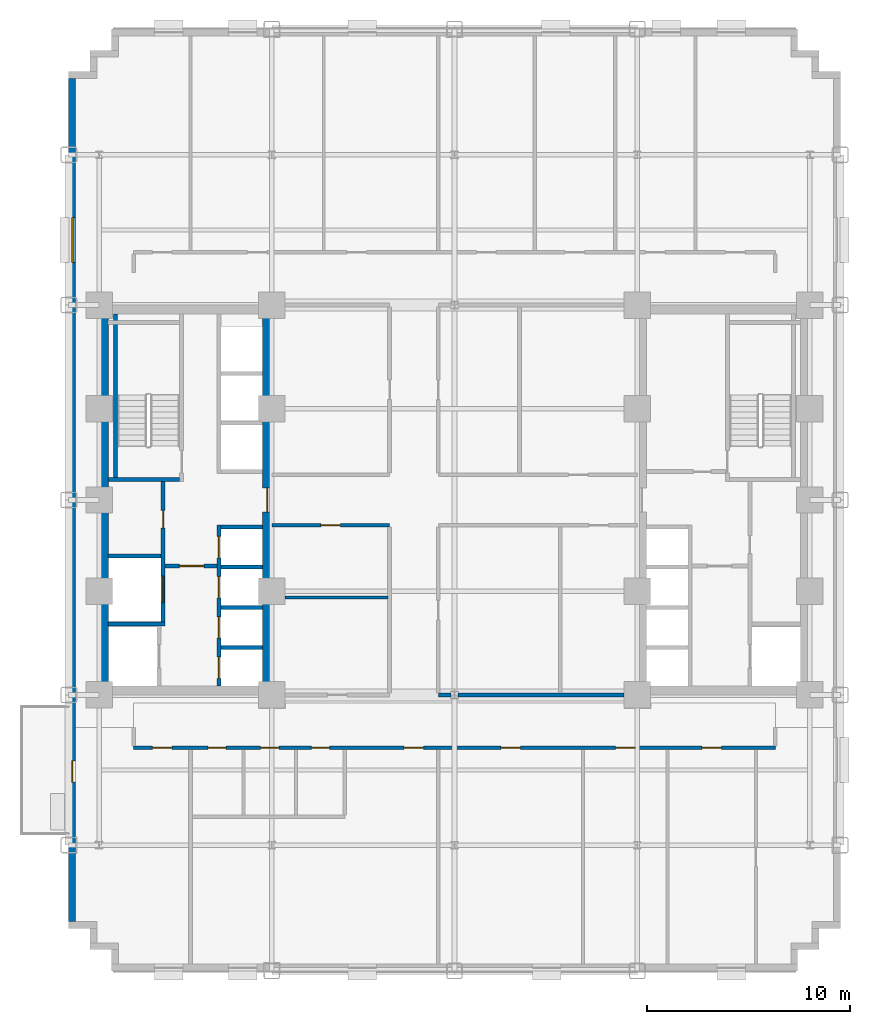
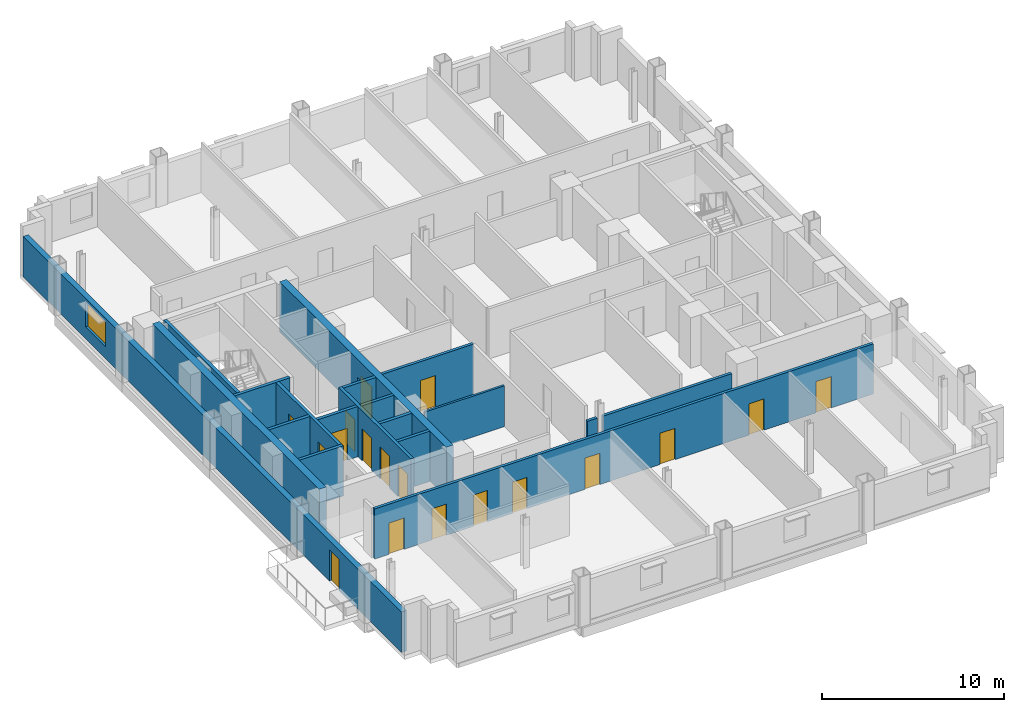
# One storey, part 5 of 12: 19 walls, 18 doors, 1 window, 19 openings.
"""IFC4 building model written with IfcOpenShell, lengths in metres."""

from ifc_helpers import new_model, si_unit, direction, frame, frame_2d, origin, place, context, subcontext, project, spatial, rectangle, extrude, source, transform, mapped, material, layer, layer_set, type_object, type_shapes, element, fill, save


model = new_model("IFC4")

# Units and contexts
model_context = context("Model", 3, precision=1e-05, world=origin(), true_north=direction((0.0, 1.0)))
body_context = subcontext(model_context, "Body", "Model", "MODEL_VIEW")
ifc_project = project(units=[si_unit("LENGTHUNIT", "METRE"), si_unit("AREAUNIT", "SQUARE_METRE"), si_unit("VOLUMEUNIT", "CUBIC_METRE"), si_unit("PLANEANGLEUNIT", "RADIAN"), si_unit("MASSUNIT", "GRAM", prefix="KILO")], contexts=[model_context])

# Site, building, storey
site_placement = place(None, origin())
site = spatial("IfcSite", under=ifc_project, at=site_placement, CompositionType="ELEMENT")
building_placement = place(site_placement, origin())
building = spatial("IfcBuilding", under=site, at=building_placement, Name="Nuvemarco Arch Tower", CompositionType="ELEMENT")
storey_placement = place(building_placement, frame((0.0, 0.0, 49.5)))
storey = spatial("IfcBuildingStorey", under=building, at=storey_placement, Name="L12", CompositionType="ELEMENT", Elevation=49.5)

# Wall, openings, door, window
ifc_material_1 = material(Name="Precast concrete C45/55", Category="concrete")
ifc_layer_1 = layer(ifc_material_1, 0.340087890625, Name="EW-LOW-340")
ifc_layer_set_1 = layer_set([ifc_layer_1], Name="Precast concrete C45/55")
wall_type_1 = type_object("IfcWallType", Name="EW-LOW-340", PredefinedType="STANDARD", material=ifc_layer_set_1)
wall_1_placement = place(storey_placement, frame((-18.830078125, -20.763916015625, 0.0), z_axis=(0.0, 0.0, 1.0), x_axis=(0.0, 1.0, 0.0)))
wall_1 = element("IfcWall", 1, at=wall_1_placement, inside=storey, type_object=wall_type_1, Name="L12 exterior precast facade wall 16", PredefinedType="STANDARD", context=body_context, shape_type="SweptSolid", body=[
    extrude(rectangle(XDim=41.52783203125, YDim=0.340087890625, at=frame_2d((20.763916015625, 0.0))), origin(), (0.0, 0.0, 1.0), 2.705078125),
])
opening_1_placement = place(wall_1_placement, frame((6.864013671875, 0.0, 0.0)))
opening_1 = element("IfcOpeningElement", 2, at=opening_1_placement, cuts=wall_1, Name="Opening ED-5", PredefinedType="OPENING", context=body_context, shape_type="SweptSolid", body=[
    extrude(rectangle(XDim=1.050048828125, YDim=2.10009765625, at=frame_2d((0.52490234375, 1.050048828125))), frame((0.0, 0.179931640625, 0.0), z_axis=(0.0, -1.0, 0.0), x_axis=(1.0, 0.0, 0.0)), (0.0, 0.0, 1.0), 0.360107421875),
])
opening_2_placement = place(wall_1_placement, frame((32.466552734375, 0.0, 0.800048828125)))
opening_2 = element("IfcOpeningElement", 3, at=opening_2_placement, cuts=wall_1, Name="Opening WN-3", PredefinedType="OPENING", context=body_context, shape_type="SweptSolid", body=[
    extrude(rectangle(XDim=2.199951171875, YDim=1.64990234375, at=frame_2d((1.10009765625, 0.824951171875))), frame((0.0, 0.179931640625, 0.0), z_axis=(0.0, -1.0, 0.0), x_axis=(1.0, 0.0, 0.0)), (0.0, 0.0, 1.0), 0.360107421875),
])
ifc_material_2 = material(Name="Anodised bronze and laminated glass", Category="glass")
door_type_1 = type_object("IfcDoorType", Name="DR-EXT-TERR", OperationType="NOTDEFINED", PredefinedType="DOOR", material=ifc_material_2)
shared_shape_1 = source(origin(), body_context, "Body", "SweptSolid", [
    extrude(rectangle(XDim=1.050048828125, YDim=2.10009765625, at=frame_2d((0.52490234375, 1.050048828125))), frame((0.0, 0.02490234375, 0.0), z_axis=(0.0, -1.0, 0.0), x_axis=(1.0, 0.0, 0.0)), (0.0, 0.0, 1.0), 0.050048828125),
])
type_shapes(door_type_1, [shared_shape_1])
door_1_placement = place(opening_1_placement, origin())
door_1 = element("IfcDoor", 4, at=door_1_placement, inside=storey, type_object=door_type_1, Name="L12 spiral terrace access door", OperationType="SINGLE_SWING_LEFT", OverallHeight=2.10009765625, OverallWidth=1.050048828125, PredefinedType="DOOR", context=body_context, shape_type="MappedRepresentation", body=[
    mapped(shared_shape_1, transform((0.0, 0.0, 0.0), scale=1.0)),
])
fill(opening_1, door_1)
ifc_material_3 = material(Name="Insulated solar-control glass", Category="glass")
window_type = type_object("IfcWindowType", Name="WN-LOW-2200x1650", PartitioningType="DOUBLE_PANEL_VERTICAL", PredefinedType="WINDOW", material=ifc_material_3)
shared_shape_2 = source(origin(), body_context, "Body", "SweptSolid", [
    extrude(rectangle(XDim=2.199951171875, YDim=1.64990234375, at=frame_2d((1.10009765625, 0.824951171875))), frame((0.0, 0.030029296875, 0.0), z_axis=(0.0, -1.0, 0.0), x_axis=(1.0, 0.0, 0.0)), (0.0, 0.0, 1.0), 0.06005859375),
])
type_shapes(window_type, [shared_shape_2])
window_placement = place(opening_2_placement, origin())
window = element("IfcWindow", 5, at=window_placement, inside=storey, type_object=window_type, Name="L12 punched facade window 7", OverallHeight=1.64990234375, OverallWidth=2.199951171875, PartitioningType="SINGLE_PANEL", PredefinedType="WINDOW", context=body_context, shape_type="MappedRepresentation", body=[
    mapped(shared_shape_2, transform((0.0, 0.0, 0.0), scale=1.0)),
])
fill(opening_2, window)

# Wall
ifc_material_4 = material(Name="Concrete C60/75", Category="concrete")
ifc_layer_2 = layer(ifc_material_4, 0.449951171875, Name="WL-CORE-450")
ifc_layer_set_2 = layer_set([ifc_layer_2], Name="Concrete C60/75")
wall_type_2 = type_object("IfcWallType", Name="WL-CORE-450", PredefinedType="SHEAR", material=ifc_layer_set_2)
wall_2_placement = place(storey_placement, frame((-17.27490234375, -9.155029296875, 0.0), z_axis=(0.0, 0.0, 1.0), x_axis=(0.0, 1.0, 0.0)))
element("IfcWall", 6, at=wall_2_placement, inside=storey, type_object=wall_type_2, Name="L12 W-core shear wall W", PredefinedType="SHEAR", context=body_context, shape_type="SweptSolid", body=[
    extrude(rectangle(XDim=18.31005859375, YDim=0.449951171875, at=frame_2d((9.155029296875, 0.0))), origin(), (0.0, 0.0, 1.0), 3.3701171875),
])

# Wall, opening, door
wall_3_placement = place(storey_placement, frame((-9.22509765625, -9.155029296875, 0.0), z_axis=(0.0, 0.0, 1.0), x_axis=(0.0, 1.0, 0.0)))
wall_3 = element("IfcWall", 7, at=wall_3_placement, inside=storey, type_object=wall_type_2, Name="L12 W-core shear wall E", PredefinedType="SHEAR", context=body_context, shape_type="SweptSolid", body=[
    extrude(rectangle(XDim=18.31005859375, YDim=0.449951171875, at=frame_2d((9.155029296875, 0.0))), origin(), (0.0, 0.0, 1.0), 3.3701171875),
])
opening_3_placement = place(wall_3_placement, frame((8.554931640625, 0.0, 0.0)))
opening_3 = element("IfcOpeningElement", 8, at=opening_3_placement, cuts=wall_3, Name="Opening FD-2", PredefinedType="OPENING", context=body_context, shape_type="SweptSolid", body=[
    extrude(rectangle(XDim=1.199951171875, YDim=2.14990234375, at=frame_2d((0.60009765625, 1.074951171875))), frame((0.0, 0.23486328125, 0.0), z_axis=(0.0, -1.0, 0.0), x_axis=(1.0, 0.0, 0.0)), (0.0, 0.0, 1.0), 0.469970703125),
])
ifc_material_5 = material(Name="Anodised steel fire door", Category="steel")
door_type_2 = type_object("IfcDoorType", Name="DR-FFLOB-FD", OperationType="NOTDEFINED", PredefinedType="DOOR", material=ifc_material_5)
shared_shape_3 = source(origin(), body_context, "Body", "SweptSolid", [
    extrude(rectangle(XDim=1.199951171875, YDim=2.14990234375, at=frame_2d((0.60009765625, 1.074951171875))), frame((0.0, 0.02490234375, 0.0), z_axis=(0.0, -1.0, 0.0), x_axis=(1.0, 0.0, 0.0)), (0.0, 0.0, 1.0), 0.050048828125),
])
type_shapes(door_type_2, [shared_shape_3])
door_2_placement = place(opening_3_placement, origin())
door_2 = element("IfcDoor", 9, at=door_2_placement, inside=storey, type_object=door_type_2, Name="L12 door FD-L12-WCORE-E", OperationType="SINGLE_SWING_LEFT", OverallHeight=2.14990234375, OverallWidth=1.199951171875, PredefinedType="DOOR", context=body_context, shape_type="MappedRepresentation", body=[
    mapped(shared_shape_3, transform((0.0, 0.0, 0.0), scale=1.0)),
])
fill(opening_3, door_2)

# Wall, openings, doors
ifc_material_6 = material(Name="Fire-rated gypsum drywall partition")
ifc_layer_3 = layer(ifc_material_6, 0.179931640625, Name="WL-CORR-180")
ifc_layer_set_3 = layer_set([ifc_layer_3], Name="Fire-rated gypsum drywall partition")
wall_type_3 = type_object("IfcWallType", Name="WL-CORR-180", PredefinedType="PARTITIONING", material=ifc_layer_set_3)
wall_4_placement = place(storey_placement, frame((-15.800048828125, -12.199951171875, 0.0), z_axis=(0.0, 0.0, 1.0), x_axis=(1.0, 0.0, 0.0)))
wall_4 = element("IfcWall", 10, at=wall_4_placement, inside=storey, type_object=wall_type_3, Name="L12 interior wall IW-L12-002", PredefinedType="PARTITIONING", context=body_context, shape_type="SweptSolid", body=[
    extrude(rectangle(XDim=31.60009765625, YDim=0.179931640625, at=frame_2d((15.800048828125, 0.0))), origin(), (0.0, 0.0, 1.0), 3.360107421875),
])
opening_4_placement = place(wall_4_placement, frame((18.0849609375, 0.0, 0.0)))
opening_4 = element("IfcOpeningElement", 11, at=opening_4_placement, cuts=wall_4, Name="Opening FD-5", PredefinedType="OPENING", context=body_context, shape_type="SweptSolid", body=[
    extrude(rectangle(XDim=0.9599609375, YDim=2.10009765625, at=frame_2d((0.47998046875, 1.050048828125))), frame((0.0, 0.099853515625, 0.0), z_axis=(0.0, -1.0, 0.0), x_axis=(1.0, 0.0, 0.0)), (0.0, 0.0, 1.0), 0.199951171875),
])
opening_5_placement = place(wall_4_placement, frame((27.985107421875, 0.0, 0.0)))
opening_5 = element("IfcOpeningElement", 12, at=opening_5_placement, cuts=wall_4, Name="Opening FD-5", PredefinedType="OPENING", context=body_context, shape_type="SweptSolid", body=[
    extrude(rectangle(XDim=0.9599609375, YDim=2.10009765625, at=frame_2d((0.47998046875, 1.050048828125))), frame((0.0, 0.099853515625, 0.0), z_axis=(0.0, -1.0, 0.0), x_axis=(1.0, 0.0, 0.0)), (0.0, 0.0, 1.0), 0.199951171875),
])
opening_6_placement = place(wall_4_placement, frame((23.72998046875, 0.0, 0.0)))
opening_6 = element("IfcOpeningElement", 13, at=opening_6_placement, cuts=wall_4, Name="Opening FD-5", PredefinedType="OPENING", context=body_context, shape_type="SweptSolid", body=[
    extrude(rectangle(XDim=0.9599609375, YDim=2.10009765625, at=frame_2d((0.47998046875, 1.050048828125))), frame((0.0, 0.099853515625, 0.0), z_axis=(0.0, -1.0, 0.0), x_axis=(1.0, 0.0, 0.0)), (0.0, 0.0, 1.0), 0.199951171875),
])
opening_7_placement = place(wall_4_placement, frame((0.919921875, 0.0, 0.0)))
opening_7 = element("IfcOpeningElement", 14, at=opening_7_placement, cuts=wall_4, Name="Opening FD-5", PredefinedType="OPENING", context=body_context, shape_type="SweptSolid", body=[
    extrude(rectangle(XDim=0.9599609375, YDim=2.10009765625, at=frame_2d((0.47998046875, 1.050048828125))), frame((0.0, 0.099853515625, 0.0), z_axis=(0.0, -1.0, 0.0), x_axis=(1.0, 0.0, 0.0)), (0.0, 0.0, 1.0), 0.199951171875),
])
opening_8_placement = place(wall_4_placement, frame((6.25, 0.0, 0.0)))
opening_8 = element("IfcOpeningElement", 15, at=opening_8_placement, cuts=wall_4, Name="Opening ID-3", PredefinedType="OPENING", context=body_context, shape_type="SweptSolid", body=[
    extrude(rectangle(XDim=0.89990234375, YDim=2.10009765625, at=frame_2d((0.449951171875, 1.050048828125))), frame((0.0, 0.099853515625, 0.0), z_axis=(0.0, -1.0, 0.0), x_axis=(1.0, 0.0, 0.0)), (0.0, 0.0, 1.0), 0.199951171875),
])
opening_9_placement = place(wall_4_placement, frame((3.64990234375, 0.0, 0.0)))
opening_9 = element("IfcOpeningElement", 16, at=opening_9_placement, cuts=wall_4, Name="Opening ID-3", PredefinedType="OPENING", context=body_context, shape_type="SweptSolid", body=[
    extrude(rectangle(XDim=0.89990234375, YDim=2.10009765625, at=frame_2d((0.449951171875, 1.050048828125))), frame((0.0, 0.099853515625, 0.0), z_axis=(0.0, -1.0, 0.0), x_axis=(1.0, 0.0, 0.0)), (0.0, 0.0, 1.0), 0.199951171875),
])
opening_10_placement = place(wall_4_placement, frame((13.320068359375, 0.0, 0.0)))
opening_10 = element("IfcOpeningElement", 17, at=opening_10_placement, cuts=wall_4, Name="Opening FD-5", PredefinedType="OPENING", context=body_context, shape_type="SweptSolid", body=[
    extrude(rectangle(XDim=0.9599609375, YDim=2.10009765625, at=frame_2d((0.47998046875, 1.050048828125))), frame((0.0, 0.099853515625, 0.0), z_axis=(0.0, -1.0, 0.0), x_axis=(1.0, 0.0, 0.0)), (0.0, 0.0, 1.0), 0.199951171875),
])
opening_11_placement = place(wall_4_placement, frame((8.75, 0.0, 0.0)))
opening_11 = element("IfcOpeningElement", 18, at=opening_11_placement, cuts=wall_4, Name="Opening ID-3", PredefinedType="OPENING", context=body_context, shape_type="SweptSolid", body=[
    extrude(rectangle(XDim=0.89990234375, YDim=2.10009765625, at=frame_2d((0.449951171875, 1.050048828125))), frame((0.0, 0.099853515625, 0.0), z_axis=(0.0, -1.0, 0.0), x_axis=(1.0, 0.0, 0.0)), (0.0, 0.0, 1.0), 0.199951171875),
])
ifc_material_7 = material(Name="Timber fire door", Category="wood")
door_type_3 = type_object("IfcDoorType", Name="DR-CORR-FD", OperationType="NOTDEFINED", PredefinedType="DOOR", material=ifc_material_7)
shared_shape_4 = source(origin(), body_context, "Body", "SweptSolid", [
    extrude(rectangle(XDim=0.9599609375, YDim=2.10009765625, at=frame_2d((0.47998046875, 1.050048828125))), frame((0.0, 0.02490234375, 0.0), z_axis=(0.0, -1.0, 0.0), x_axis=(1.0, 0.0, 0.0)), (0.0, 0.0, 1.0), 0.050048828125),
])
type_shapes(door_type_3, [shared_shape_4])
door_3_placement = place(opening_4_placement, origin())
door_3 = element("IfcDoor", 19, at=door_3_placement, inside=storey, type_object=door_type_3, Name="L12 door DR-L12-S_3", OperationType="SINGLE_SWING_LEFT", OverallHeight=2.10009765625, OverallWidth=0.9599609375, PredefinedType="DOOR", context=body_context, shape_type="MappedRepresentation", body=[
    mapped(shared_shape_4, transform((0.0, 0.0, 0.0), scale=1.0)),
])
fill(opening_4, door_3)
door_4_placement = place(opening_5_placement, origin())
door_4 = element("IfcDoor", 20, at=door_4_placement, inside=storey, type_object=door_type_3, Name="L12 door DR-L12-S_5", OperationType="SINGLE_SWING_LEFT", OverallHeight=2.10009765625, OverallWidth=0.9599609375, PredefinedType="DOOR", context=body_context, shape_type="MappedRepresentation", body=[
    mapped(shared_shape_4, transform((0.0, 0.0, 0.0), scale=1.0)),
])
fill(opening_5, door_4)
door_5_placement = place(opening_6_placement, origin())
door_5 = element("IfcDoor", 21, at=door_5_placement, inside=storey, type_object=door_type_3, Name="L12 door DR-L12-S_4", OperationType="SINGLE_SWING_RIGHT", OverallHeight=2.10009765625, OverallWidth=0.9599609375, PredefinedType="DOOR", context=body_context, shape_type="MappedRepresentation", body=[
    mapped(shared_shape_4, transform((0.0, 0.0, 0.0), scale=1.0)),
])
fill(opening_6, door_5)
door_6_placement = place(opening_7_placement, origin())
door_6 = element("IfcDoor", 22, at=door_6_placement, inside=storey, type_object=door_type_3, Name="L12 door DR-L12-S_1", OperationType="SINGLE_SWING_LEFT", OverallHeight=2.10009765625, OverallWidth=0.9599609375, PredefinedType="DOOR", context=body_context, shape_type="MappedRepresentation", body=[
    mapped(shared_shape_4, transform((0.0, 0.0, 0.0), scale=1.0)),
])
fill(opening_7, door_6)
door_7_placement = place(opening_10_placement, origin())
door_7 = element("IfcDoor", 23, at=door_7_placement, inside=storey, type_object=door_type_3, Name="L12 door DR-L12-S_2", OperationType="SINGLE_SWING_RIGHT", OverallHeight=2.10009765625, OverallWidth=0.9599609375, PredefinedType="DOOR", context=body_context, shape_type="MappedRepresentation", body=[
    mapped(shared_shape_4, transform((0.0, 0.0, 0.0), scale=1.0)),
])
fill(opening_10, door_7)
ifc_material_8 = material(Name="Veneered oak timber fire door", Category="wood")
door_type_4 = type_object("IfcDoorType", Name="DR-WC-ACC", OperationType="NOTDEFINED", PredefinedType="DOOR", material=ifc_material_8)
shared_shape_5 = source(origin(), body_context, "Body", "SweptSolid", [
    extrude(rectangle(XDim=0.89990234375, YDim=2.10009765625, at=frame_2d((0.449951171875, 1.050048828125))), frame((0.0, 0.02490234375, 0.0), z_axis=(0.0, -1.0, 0.0), x_axis=(1.0, 0.0, 0.0)), (0.0, 0.0, 1.0), 0.050048828125),
])
type_shapes(door_type_4, [shared_shape_5])
door_8_placement = place(opening_8_placement, origin())
door_8 = element("IfcDoor", 24, at=door_8_placement, inside=storey, type_object=door_type_4, Name="L12 door DR-L12-WC_F", OperationType="SINGLE_SWING_RIGHT", OverallHeight=2.10009765625, OverallWidth=0.89990234375, PredefinedType="DOOR", context=body_context, shape_type="MappedRepresentation", body=[
    mapped(shared_shape_5, transform((0.0, 0.0, 0.0), scale=1.0)),
])
fill(opening_8, door_8)
door_9_placement = place(opening_9_placement, origin())
door_9 = element("IfcDoor", 25, at=door_9_placement, inside=storey, type_object=door_type_4, Name="L12 door DR-L12-WC_M", OperationType="SINGLE_SWING_LEFT", OverallHeight=2.10009765625, OverallWidth=0.89990234375, PredefinedType="DOOR", context=body_context, shape_type="MappedRepresentation", body=[
    mapped(shared_shape_5, transform((0.0, 0.0, 0.0), scale=1.0)),
])
fill(opening_9, door_9)
door_10_placement = place(opening_11_placement, origin())
door_10 = element("IfcDoor", 26, at=door_10_placement, inside=storey, type_object=door_type_4, Name="L12 door DR-L12-WC_ACC", OperationType="SINGLE_SWING_LEFT", OverallHeight=2.10009765625, OverallWidth=0.89990234375, PredefinedType="DOOR", context=body_context, shape_type="MappedRepresentation", body=[
    mapped(shared_shape_5, transform((0.0, 0.0, 0.0), scale=1.0)),
])
fill(opening_11, door_10)

# Walls
wall_5_placement = place(storey_placement, frame((-0.800048828125, -9.60009765625, 0.0), z_axis=(0.0, 0.0, 1.0), x_axis=(1.0, 0.0, 0.0)))
element("IfcWall", 27, at=wall_5_placement, inside=storey, type_object=wall_type_3, Name="L12 interior wall IW-L12-004", PredefinedType="PARTITIONING", context=body_context, shape_type="SweptSolid", body=[
    extrude(rectangle(XDim=0.6240234375, YDim=0.179931640625, at=frame_2d((0.31201171875, 0.0))), origin(), (0.0, 0.0, 1.0), 2.405029296875),
])
wall_6_placement = place(storey_placement, frame((0.176025390625, -9.60009765625, 0.0), z_axis=(0.0, 0.0, 1.0), x_axis=(1.0, 0.0, 0.0)))
element("IfcWall", 28, at=wall_6_placement, inside=storey, type_object=wall_type_3, Name="L12 interior wall IW-L12-005", PredefinedType="PARTITIONING", context=body_context, shape_type="SweptSolid", body=[
    extrude(rectangle(XDim=8.177978515625, YDim=0.179931640625, at=frame_2d((4.0888671875, 0.0))), origin(), (0.0, 0.0, 1.0), 2.405029296875),
])

# Wall, opening, door
wall_7_placement = place(storey_placement, frame((-9.0, -1.25, 0.0), z_axis=(0.0, 0.0, 1.0), x_axis=(1.0, 0.0, 0.0)))
wall_7 = element("IfcWall", 29, at=wall_7_placement, inside=storey, type_object=wall_type_3, Name="L12 interior wall IW-L12-007", PredefinedType="PARTITIONING", context=body_context, shape_type="SweptSolid", body=[
    extrude(rectangle(XDim=5.800048828125, YDim=0.179931640625, at=frame_2d((2.89990234375, 0.0))), origin(), (0.0, 0.0, 1.0), 3.360107421875),
])
opening_12_placement = place(wall_7_placement, frame((2.419921875, 0.0, 0.0)))
opening_12 = element("IfcOpeningElement", 30, at=opening_12_placement, cuts=wall_7, Name="Opening FD-5", PredefinedType="OPENING", context=body_context, shape_type="SweptSolid", body=[
    extrude(rectangle(XDim=0.9599609375, YDim=2.10009765625, at=frame_2d((0.47998046875, 1.050048828125))), frame((0.0, 0.099853515625, 0.0), z_axis=(0.0, -1.0, 0.0), x_axis=(1.0, 0.0, 0.0)), (0.0, 0.0, 1.0), 0.199951171875),
])
door_11_placement = place(opening_12_placement, origin())
door_11 = element("IfcDoor", 31, at=door_11_placement, inside=storey, type_object=door_type_3, Name="L12 door DR-L12-C_SW1", OperationType="SINGLE_SWING_LEFT", OverallHeight=2.10009765625, OverallWidth=0.9599609375, PredefinedType="DOOR", context=body_context, shape_type="MappedRepresentation", body=[
    mapped(shared_shape_4, transform((0.0, 0.0, 0.0), scale=1.0)),
])
fill(opening_12, door_11)

# Walls
ifc_material_9 = material(Name="Gypsum plasterboard partition")
ifc_layer_4 = layer(ifc_material_9, 0.139892578125, Name="WL-ROOM-140")
ifc_layer_set_4 = layer_set([ifc_layer_4], Name="Gypsum plasterboard partition")
wall_type_4 = type_object("IfcWallType", Name="WL-ROOM-140", PredefinedType="PARTITIONING", material=ifc_layer_set_4)
wall_8_placement = place(storey_placement, frame((-8.35400390625, -4.800048828125, 0.0), z_axis=(0.0, 0.0, 1.0), x_axis=(1.0, 0.0, 0.0)))
element("IfcWall", 32, at=wall_8_placement, inside=storey, type_object=wall_type_4, Name="L12 interior wall IW-L12-006", PredefinedType="PARTITIONING", context=body_context, shape_type="SweptSolid", body=[
    extrude(rectangle(XDim=5.068115234375, YDim=0.139892578125, at=frame_2d((2.5341796875, 0.0))), origin(), (0.0, 0.0, 1.0), 2.738037109375),
])
ifc_material_10 = material(Name="Concrete C50/60", Category="concrete")
ifc_layer_5 = layer(ifc_material_10, 0.199951171875, Name="WL-SHAFT-220")
ifc_layer_set_5 = layer_set([ifc_layer_5], Name="Concrete C50/60")
wall_type_5 = type_object("IfcWallType", Name="WL-SHAFT-220", PredefinedType="SHEAR", material=ifc_layer_set_5)
wall_9_placement = place(storey_placement, frame((-17.054931640625, 1.0, 0.0), z_axis=(0.0, 0.0, 1.0), x_axis=(1.0, 0.0, 0.0)))
element("IfcWall", 33, at=wall_9_placement, inside=storey, type_object=wall_type_5, Name="L12 structural shaft wall SW-L12-W-ST1S", PredefinedType="SHEAR", context=body_context, shape_type="SweptSolid", body=[
    extrude(rectangle(XDim=3.52001953125, YDim=0.199951171875, at=frame_2d((1.760009765625, 0.0))), origin(), (0.0, 0.0, 1.0), 3.3701171875),
])
wall_10_placement = place(storey_placement, frame((-16.699951171875, 1.094970703125, 0.0), z_axis=(0.0, 0.0, 1.0), x_axis=(0.0, 1.0, 0.0)))
element("IfcWall", 34, at=wall_10_placement, inside=storey, type_object=wall_type_5, Name="L12 structural shaft wall SW-L12-W-ST1W", PredefinedType="SHEAR", context=body_context, shape_type="SweptSolid", body=[
    extrude(rectangle(XDim=8.06005859375, YDim=0.199951171875, at=frame_2d((4.030029296875, 0.0))), origin(), (0.0, 0.0, 1.0), 3.3701171875),
])

# Wall, openings, doors
wall_11_placement = place(storey_placement, frame((-14.35009765625, -6.199951171875, 0.0), z_axis=(0.0, 0.0, 1.0), x_axis=(0.0, 1.0, 0.0)))
wall_11 = element("IfcWall", 35, at=wall_11_placement, inside=storey, type_object=wall_type_5, Name="L12 structural shaft wall SW-L12-W-SVE", PredefinedType="SHEAR", context=body_context, shape_type="SweptSolid", body=[
    extrude(rectangle(XDim=7.10498046875, YDim=0.199951171875, at=frame_2d((3.552490234375, 0.0))), origin(), (0.0, 0.0, 1.0), 3.3701171875),
])
opening_13_placement = place(wall_11_placement, frame((5.68994140625, 0.0, 0.0), z_axis=(0.0, 0.0, 1.0), x_axis=(-1.0, 0.0, 0.0)))
opening_13 = element("IfcOpeningElement", 36, at=opening_13_placement, cuts=wall_11, Name="Opening FD-4", PredefinedType="OPENING", context=body_context, shape_type="SweptSolid", body=[
    extrude(rectangle(XDim=0.8798828125, YDim=2.10009765625, at=frame_2d((0.43994140625, 1.050048828125))), frame((0.0, 0.10986328125, 0.0), z_axis=(0.0, -1.0, 0.0), x_axis=(1.0, 0.0, 0.0)), (0.0, 0.0, 1.0), 0.219970703125),
])
opening_14_placement = place(wall_11_placement, frame((1.14990234375, 0.0, 0.0)))
opening_14 = element("IfcOpeningElement", 37, at=opening_14_placement, cuts=wall_11, Name="Opening LD-3", PredefinedType="OPENING", context=body_context, shape_type="SweptSolid", body=[
    extrude(rectangle(XDim=1.300048828125, YDim=2.199951171875, at=frame_2d((0.64990234375, 1.10009765625))), frame((0.0, 0.10986328125, 0.0), z_axis=(0.0, -1.0, 0.0), x_axis=(1.0, 0.0, 0.0)), (0.0, 0.0, 1.0), 0.219970703125),
])
door_type_5 = type_object("IfcDoorType", Name="DR-RISER-FD", OperationType="NOTDEFINED", PredefinedType="DOOR", material=ifc_material_5)
shared_shape_6 = source(origin(), body_context, "Body", "SweptSolid", [
    extrude(rectangle(XDim=0.8798828125, YDim=2.10009765625, at=frame_2d((0.43994140625, 1.050048828125))), frame((0.0, 0.02490234375, 0.0), z_axis=(0.0, -1.0, 0.0), x_axis=(1.0, 0.0, 0.0)), (0.0, 0.0, 1.0), 0.050048828125),
])
type_shapes(door_type_5, [shared_shape_6])
door_12_placement = place(opening_13_placement, origin())
door_12 = element("IfcDoor", 38, at=door_12_placement, inside=storey, type_object=door_type_5, Name="L12 door FD-L12-WRIS", OperationType="SINGLE_SWING_LEFT", OverallHeight=2.10009765625, OverallWidth=0.8798828125, PredefinedType="DOOR", context=body_context, shape_type="MappedRepresentation", body=[
    mapped(shared_shape_6, transform((0.0, 0.0, 0.0), scale=1.0)),
])
fill(opening_13, door_12)
ifc_material_11 = material(Name="Stainless steel lift door", Category="steel")
door_type_6 = type_object("IfcDoorType", Name="DR-LIFT-SERV", OperationType="DOUBLE_DOOR_SLIDING", PredefinedType="DOOR", material=ifc_material_11)
shared_shape_7 = source(origin(), body_context, "Body", "SweptSolid", [
    extrude(rectangle(XDim=1.300048828125, YDim=2.199951171875, at=frame_2d((0.64990234375, 1.10009765625))), frame((0.0, 0.02490234375, 0.0), z_axis=(0.0, -1.0, 0.0), x_axis=(1.0, 0.0, 0.0)), (0.0, 0.0, 1.0), 0.050048828125),
])
type_shapes(door_type_6, [shared_shape_7])
door_13_placement = place(opening_14_placement, origin())
door_13 = element("IfcDoor", 39, at=door_13_placement, inside=storey, type_object=door_type_6, Name="L12 Lift landing sliding door SVL-1", OperationType="DOUBLE_DOOR_SLIDING", OverallHeight=2.199951171875, OverallWidth=1.300048828125, PredefinedType="DOOR", context=body_context, shape_type="MappedRepresentation", body=[
    mapped(shared_shape_7, transform((0.0, 0.0, 0.0), scale=1.0)),
])
fill(opening_14, door_13)

# Walls
wall_12_placement = place(storey_placement, frame((-17.054931640625, -6.10009765625, 0.0), z_axis=(0.0, 0.0, 1.0), x_axis=(1.0, 0.0, 0.0)))
element("IfcWall", 40, at=wall_12_placement, inside=storey, type_object=wall_type_5, Name="L12 structural shaft wall SW-L12-W-SH1", PredefinedType="SHEAR", context=body_context, shape_type="SweptSolid", body=[
    extrude(rectangle(XDim=2.804931640625, YDim=0.199951171875, at=frame_2d((1.40234375, 0.0))), origin(), (0.0, 0.0, 1.0), 3.3701171875),
])
wall_13_placement = place(storey_placement, frame((-17.054931640625, -2.75, 0.0), z_axis=(0.0, 0.0, 1.0), x_axis=(1.0, 0.0, 0.0)))
element("IfcWall", 41, at=wall_13_placement, inside=storey, type_object=wall_type_5, Name="L12 structural shaft wall SW-L12-W-SH2", PredefinedType="SHEAR", context=body_context, shape_type="SweptSolid", body=[
    extrude(rectangle(XDim=2.60986328125, YDim=0.199951171875, at=frame_2d((1.304931640625, 0.0))), origin(), (0.0, 0.0, 1.0), 3.3701171875),
])

# Wall, openings, doors
wall_14_placement = place(storey_placement, frame((-11.60009765625, -9.155029296875, 0.0), z_axis=(0.0, 0.0, 1.0), x_axis=(0.0, 1.0, 0.0)))
wall_14 = element("IfcWall", 42, at=wall_14_placement, inside=storey, type_object=wall_type_5, Name="L12 structural shaft wall SW-L12-W-PLW", PredefinedType="SHEAR", context=body_context, shape_type="SweptSolid", body=[
    extrude(rectangle(XDim=7.925048828125, YDim=0.199951171875, at=frame_2d((3.96240234375, 0.0))), origin(), (0.0, 0.0, 1.0), 3.3701171875),
])
opening_15_placement = place(wall_14_placement, frame((0.3701171875, 0.0, 0.0)))
opening_15 = element("IfcOpeningElement", 43, at=opening_15_placement, cuts=wall_14, Name="Opening LD-1", PredefinedType="OPENING", context=body_context, shape_type="SweptSolid", body=[
    extrude(rectangle(XDim=1.050048828125, YDim=2.14990234375, at=frame_2d((0.52490234375, 1.074951171875))), frame((0.0, 0.10986328125, 0.0), z_axis=(0.0, -1.0, 0.0), x_axis=(1.0, 0.0, 0.0)), (0.0, 0.0, 1.0), 0.219970703125),
])
opening_16_placement = place(wall_14_placement, frame((2.35009765625, 0.0, 0.0)))
opening_16 = element("IfcOpeningElement", 44, at=opening_16_placement, cuts=wall_14, Name="Opening LD-1", PredefinedType="OPENING", context=body_context, shape_type="SweptSolid", body=[
    extrude(rectangle(XDim=1.050048828125, YDim=2.14990234375, at=frame_2d((0.52490234375, 1.074951171875))), frame((0.0, 0.10986328125, 0.0), z_axis=(0.0, -1.0, 0.0), x_axis=(1.0, 0.0, 0.0)), (0.0, 0.0, 1.0), 0.219970703125),
])
opening_17_placement = place(wall_14_placement, frame((4.330078125, 0.0, 0.0)))
opening_17 = element("IfcOpeningElement", 45, at=opening_17_placement, cuts=wall_14, Name="Opening LD-1", PredefinedType="OPENING", context=body_context, shape_type="SweptSolid", body=[
    extrude(rectangle(XDim=1.050048828125, YDim=2.14990234375, at=frame_2d((0.52490234375, 1.074951171875))), frame((0.0, 0.10986328125, 0.0), z_axis=(0.0, -1.0, 0.0), x_axis=(1.0, 0.0, 0.0)), (0.0, 0.0, 1.0), 0.219970703125),
])
opening_18_placement = place(wall_14_placement, frame((6.31005859375, 0.0, 0.0)))
opening_18 = element("IfcOpeningElement", 46, at=opening_18_placement, cuts=wall_14, Name="Opening LD-1", PredefinedType="OPENING", context=body_context, shape_type="SweptSolid", body=[
    extrude(rectangle(XDim=1.050048828125, YDim=2.14990234375, at=frame_2d((0.52490234375, 1.074951171875))), frame((0.0, 0.10986328125, 0.0), z_axis=(0.0, -1.0, 0.0), x_axis=(1.0, 0.0, 0.0)), (0.0, 0.0, 1.0), 0.219970703125),
])
door_type_7 = type_object("IfcDoorType", Name="DR-LIFT-PASS", OperationType="DOUBLE_DOOR_SLIDING", PredefinedType="DOOR", material=ifc_material_11)
shared_shape_8 = source(origin(), body_context, "Body", "SweptSolid", [
    extrude(rectangle(XDim=1.050048828125, YDim=2.14990234375, at=frame_2d((0.52490234375, 1.074951171875))), frame((0.0, 0.02490234375, 0.0), z_axis=(0.0, -1.0, 0.0), x_axis=(1.0, 0.0, 0.0)), (0.0, 0.0, 1.0), 0.050048828125),
])
type_shapes(door_type_7, [shared_shape_8])
door_14_placement = place(opening_15_placement, origin())
door_14 = element("IfcDoor", 47, at=door_14_placement, inside=storey, type_object=door_type_7, Name="L12 Lift landing sliding door PL-1", OperationType="DOUBLE_DOOR_SLIDING", OverallHeight=2.14990234375, OverallWidth=1.050048828125, PredefinedType="DOOR", context=body_context, shape_type="MappedRepresentation", body=[
    mapped(shared_shape_8, transform((0.0, 0.0, 0.0), scale=1.0)),
])
fill(opening_15, door_14)
door_15_placement = place(opening_16_placement, origin())
door_15 = element("IfcDoor", 48, at=door_15_placement, inside=storey, type_object=door_type_7, Name="L12 Lift landing sliding door PL-2", OperationType="DOUBLE_DOOR_SLIDING", OverallHeight=2.14990234375, OverallWidth=1.050048828125, PredefinedType="DOOR", context=body_context, shape_type="MappedRepresentation", body=[
    mapped(shared_shape_8, transform((0.0, 0.0, 0.0), scale=1.0)),
])
fill(opening_16, door_15)
door_16_placement = place(opening_17_placement, origin())
door_16 = element("IfcDoor", 49, at=door_16_placement, inside=storey, type_object=door_type_7, Name="L12 Lift landing sliding door PL-3", OperationType="DOUBLE_DOOR_SLIDING", OverallHeight=2.14990234375, OverallWidth=1.050048828125, PredefinedType="DOOR", context=body_context, shape_type="MappedRepresentation", body=[
    mapped(shared_shape_8, transform((0.0, 0.0, 0.0), scale=1.0)),
])
fill(opening_17, door_16)
door_17_placement = place(opening_18_placement, origin())
door_17 = element("IfcDoor", 50, at=door_17_placement, inside=storey, type_object=door_type_7, Name="L12 Lift landing sliding door PL-4", OperationType="DOUBLE_DOOR_SLIDING", OverallHeight=2.14990234375, OverallWidth=1.050048828125, PredefinedType="DOOR", context=body_context, shape_type="MappedRepresentation", body=[
    mapped(shared_shape_8, transform((0.0, 0.0, 0.0), scale=1.0)),
])
fill(opening_18, door_17)

# Wall, opening, door
wall_15_placement = place(storey_placement, frame((-14.2548828125, -3.25, 0.0), z_axis=(0.0, 0.0, 1.0), x_axis=(1.0, 0.0, 0.0)))
wall_15 = element("IfcWall", 51, at=wall_15_placement, inside=storey, type_object=wall_type_5, Name="L12 structural shaft wall SW-L12-W-FFN", PredefinedType="SHEAR", context=body_context, shape_type="SweptSolid", body=[
    extrude(rectangle(XDim=2.559814453125, YDim=0.199951171875, at=frame_2d((1.27978515625, 0.0))), origin(), (0.0, 0.0, 1.0), 3.3701171875),
])
opening_19_placement = place(wall_15_placement, frame((0.705078125, 0.0, 0.0)))
opening_19 = element("IfcOpeningElement", 52, at=opening_19_placement, cuts=wall_15, Name="Opening FD-2", PredefinedType="OPENING", context=body_context, shape_type="SweptSolid", body=[
    extrude(rectangle(XDim=1.199951171875, YDim=2.14990234375, at=frame_2d((0.60009765625, 1.074951171875))), frame((0.0, 0.10986328125, 0.0), z_axis=(0.0, -1.0, 0.0), x_axis=(1.0, 0.0, 0.0)), (0.0, 0.0, 1.0), 0.219970703125),
])
door_18_placement = place(opening_19_placement, origin())
door_18 = element("IfcDoor", 53, at=door_18_placement, inside=storey, type_object=door_type_2, Name="L12 door FD-L12-WFF1", OperationType="SINGLE_SWING_LEFT", OverallHeight=2.14990234375, OverallWidth=1.199951171875, PredefinedType="DOOR", context=body_context, shape_type="MappedRepresentation", body=[
    mapped(shared_shape_3, transform((0.0, 0.0, 0.0), scale=1.0)),
])
fill(opening_19, door_18)

# Walls
for number, where, z_axis, x_axis, name in (
    (54, (-11.5048828125, -7.27001953125, 0.0), (0.0, 0.0, 1.0), (1.0, 0.0, 0.0), "L12 structural shaft wall SW-L12-W-PLD1"),
    (55, (-11.5048828125, -5.2900390625, 0.0), (0.0, 0.0, 1.0), (1.0, 0.0, 0.0), "L12 structural shaft wall SW-L12-W-PLD2"),
    (56, (-11.5048828125, -3.31005859375, 0.0), (0.0, 0.0, 1.0), (1.0, 0.0, 0.0), "L12 structural shaft wall SW-L12-W-PLD3"),
    (57, (-11.5048828125, -1.330078125, 0.0), (0.0, 0.0, 1.0), (1.0, 0.0, 0.0), "L12 structural shaft wall SW-L12-W-PLD4"),
):
    element("IfcWall", number, at=place(storey_placement, frame(where, z_axis=z_axis, x_axis=x_axis)), inside=storey, type_object=wall_type_5, Name=name, PredefinedType="SHEAR", context=body_context, shape_type="SweptSolid", body=[
        extrude(rectangle(XDim=2.059814453125, YDim=0.199951171875, at=frame_2d((1.02978515625, 0.0))), origin(), (0.0, 0.0, 1.0), 3.3701171875),
    ])

save(model, "model.ifc")
